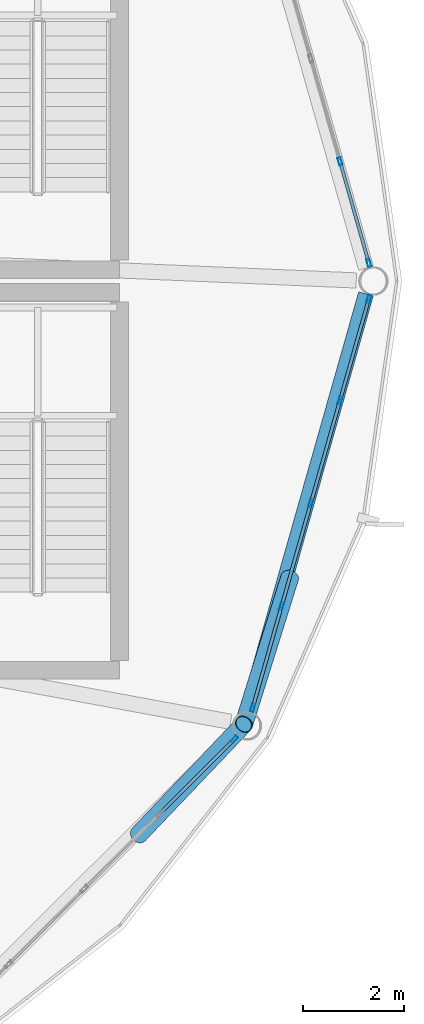
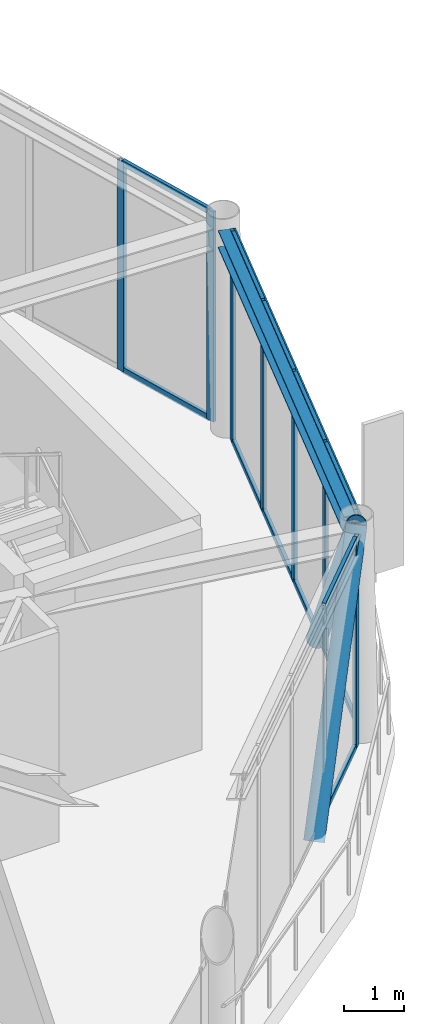
# One storey, part 15 of 26: 22 members, 1 beam, 3 elements without a shape of their own.
"""IFC4 building model written with IfcOpenShell, lengths in metres."""

from ifc_helpers import new_model, si_unit, direction, frame, origin, origin_2d, place, context, subcontext, project, spatial, hollow_rectangle, hollow_circle, i_section, extrude, material, layer, layer_set, material_profile, profile_set, type_object, element, aggregate, save


model = new_model("IFC4")

# Units and contexts
model_context = context("Model", 3, precision=1e-05, world=origin(), true_north=direction((0.0, 1.0)))
body_context = subcontext(model_context, "Body", "Model", "MODEL_VIEW")
ifc_project = project(units=[si_unit("LENGTHUNIT", "METRE"), si_unit("AREAUNIT", "SQUARE_METRE"), si_unit("VOLUMEUNIT", "CUBIC_METRE"), si_unit("PLANEANGLEUNIT", "RADIAN"), si_unit("MASSUNIT", "GRAM", prefix="KILO")], contexts=[model_context])

# Site, building, storey
site_placement = place(None, origin())
site = spatial("IfcSite", under=ifc_project, at=site_placement, CompositionType="ELEMENT")
building_placement = place(site_placement, origin())
building = spatial("IfcBuilding", under=site, at=building_placement, Name="Varnakorn Sky Granary", CompositionType="ELEMENT")
storey_placement = place(building_placement, frame((0.0, 0.0, 289.5)))
storey = spatial("IfcBuildingStorey", under=building, at=storey_placement, Name="L74", CompositionType="ELEMENT", Elevation=289.5)

# Beam
ifc_material_1 = material(Name="Steel S355JR", Category="steel")
ifc_material_profile_1 = material_profile(ifc_material_1, i_section(OverallWidth=0.300048828125, OverallDepth=0.360107421875, WebThickness=0.012451171875, FlangeThickness=0.0224609375, at=origin_2d()), Name="HE 360 B")
ifc_profile_set_1 = profile_set([ifc_material_profile_1], Name="Steel S355JR")
beam_type = type_object("IfcBeamType", Name="BM-SPD-Z5", PredefinedType="SPANDREL", material=ifc_profile_set_1)
beam_placement = place(storey_placement, frame((20.102783203125, -8.49267578125, 4.080078125), z_axis=(0.273135599576, 0.961975542436, 0.0), x_axis=(-0.961975542436, 0.273135599576, 0.0)))
element("IfcBeam", 1, at=beam_placement, inside=storey, type_object=beam_type, Name="Perimeter Spandrel Ring Beam RB12 L74", PredefinedType="SPANDREL", context=body_context, shape_type="SweptSolid", body=[
    extrude(i_section(OverallWidth=0.300048828125, OverallDepth=0.360107421875, WebThickness=0.012451171875, FlangeThickness=0.0224609375, at=origin_2d()), origin(), (0.0, 0.0, 1.0), 8.56396484375),
])

# Curtain wall, members
ifc_material_2 = material(Name="Anodised Bronze Aluminium Alloy 6063-T6", Category="aluminium")
ifc_layer = layer(ifc_material_2, 0.159912109375, Name="Anodised Bronze Aluminium Alloy 6063-T6")
ifc_layer_set = layer_set([ifc_layer], Name="Anodised Bronze Aluminium Alloy 6063-T6")
curtain_wall_type = type_object("IfcCurtainWallType", Name="CW-OFF-1", PredefinedType="USERDEFINED", material=ifc_layer_set)
curtain_wall_1_placement = place(storey_placement, origin())
curtain_wall_1 = element("IfcCurtainWall", 2, at=curtain_wall_1_placement, inside=storey, type_object=curtain_wall_type, Name="Unitised Curtain Wall CW6 CW-L74-B01", ObjectType="CURTAIN WALL", PredefinedType="USERDEFINED")
ifc_material_profile_2 = material_profile(ifc_material_2, hollow_rectangle(XDim=0.06494140625, YDim=0.159912109375, WallThickness=0.00341796875, at=origin_2d()), Name="ALU MULL 65x160")
ifc_profile_set_2 = profile_set([ifc_material_profile_2], Name="Anodised Bronze Aluminium Alloy 6063-T6")
member_type_1 = type_object("IfcMemberType", Name="CW-OFF-1-MULL", PredefinedType="MULLION", material=ifc_profile_set_2)
member_1_placement = place(storey_placement, frame((21.929931640625, 2.35888671875, 0.0), z_axis=(0.0, 0.0, 1.0), x_axis=(0.961937230884, 0.273270495734, 0.0)))
member_1 = element("IfcMember", 3, at=member_1_placement, type_object=member_type_1, Name="CW6 mullion 4", PredefinedType="MULLION", context=body_context, shape_type="SweptSolid", body=[
    extrude(hollow_rectangle(XDim=0.06494140625, YDim=0.159912109375, WallThickness=0.00341796875, at=origin_2d()), origin(), (0.0, 0.0, 1.0), 4.260009765625),
])
member_2_placement = place(storey_placement, frame((22.498291015625, 0.35791015625, 0.0), z_axis=(0.0, 0.0, 1.0), x_axis=(0.961937230884, 0.273270495734, 0.0)))
member_2 = element("IfcMember", 4, at=member_2_placement, type_object=member_type_1, Name="CW6 mullion 5", PredefinedType="MULLION", context=body_context, shape_type="SweptSolid", body=[
    extrude(hollow_rectangle(XDim=0.06494140625, YDim=0.159912109375, WallThickness=0.00341796875, at=origin_2d()), origin(), (0.0, 0.0, 1.0), 4.260009765625),
])

# Curtain wall, member
curtain_wall_2_placement = place(storey_placement, origin())
curtain_wall_2 = element("IfcCurtainWall", 5, at=curtain_wall_2_placement, inside=storey, type_object=curtain_wall_type, Name="Unitised Curtain Wall CW6 CW-L74-B11", ObjectType="CURTAIN WALL", PredefinedType="USERDEFINED")
member_3_placement = place(storey_placement, frame((19.841552734375, -9.045166015625, 0.0), z_axis=(0.0, 0.0, 1.0), x_axis=(0.706103251086, -0.708108889088, 0.0)))
member_3 = element("IfcMember", 6, at=member_3_placement, type_object=member_type_1, Name="CW6 mullion 1", PredefinedType="MULLION", context=body_context, shape_type="SweptSolid", body=[
    extrude(hollow_rectangle(XDim=0.06494140625, YDim=0.159912109375, WallThickness=0.00341796875, at=origin_2d()), origin(), (0.0, 0.0, 1.0), 4.260009765625),
])

# Curtain wall, members
curtain_wall_3_placement = place(storey_placement, origin())
curtain_wall_3 = element("IfcCurtainWall", 7, at=curtain_wall_3_placement, inside=storey, type_object=curtain_wall_type, Name="Unitised Curtain Wall CW6 CW-L74-B12", ObjectType="CURTAIN WALL", PredefinedType="USERDEFINED")
member_4_placement = place(storey_placement, frame((22.498291015625, -0.35791015625, 0.0), z_axis=(0.0, 0.0, 1.0), x_axis=(0.961937230884, -0.273270495734, 0.0)))
member_4 = element("IfcMember", 8, at=member_4_placement, type_object=member_type_1, Name="CW6 mullion 1", PredefinedType="MULLION", context=body_context, shape_type="SweptSolid", body=[
    extrude(hollow_rectangle(XDim=0.06494140625, YDim=0.159912109375, WallThickness=0.00341796875, at=origin_2d()), origin(), (0.0, 0.0, 1.0), 4.260009765625),
])
member_5_placement = place(storey_placement, frame((21.929931640625, -2.35888671875, 0.0), z_axis=(0.0, 0.0, 1.0), x_axis=(0.961937230884, -0.273270495734, 0.0)))
member_5 = element("IfcMember", 9, at=member_5_placement, type_object=member_type_1, Name="CW6 mullion 2", PredefinedType="MULLION", context=body_context, shape_type="SweptSolid", body=[
    extrude(hollow_rectangle(XDim=0.06494140625, YDim=0.159912109375, WallThickness=0.00341796875, at=origin_2d()), origin(), (0.0, 0.0, 1.0), 4.260009765625),
])
member_6_placement = place(storey_placement, frame((21.3525390625, -4.391357421875, 0.0), z_axis=(0.0, 0.0, 1.0), x_axis=(0.961937230884, -0.273270495734, 0.0)))
member_6 = element("IfcMember", 10, at=member_6_placement, type_object=member_type_1, Name="CW6 mullion 3", PredefinedType="MULLION", context=body_context, shape_type="SweptSolid", body=[
    extrude(hollow_rectangle(XDim=0.06494140625, YDim=0.159912109375, WallThickness=0.00341796875, at=origin_2d()), origin(), (0.0, 0.0, 1.0), 4.260009765625),
])
member_7_placement = place(storey_placement, frame((20.775146484375, -6.423583984375, 0.0), z_axis=(0.0, 0.0, 1.0), x_axis=(0.961937230884, -0.273270495734, 0.0)))
member_7 = element("IfcMember", 11, at=member_7_placement, type_object=member_type_1, Name="CW6 mullion 4", PredefinedType="MULLION", context=body_context, shape_type="SweptSolid", body=[
    extrude(hollow_rectangle(XDim=0.06494140625, YDim=0.159912109375, WallThickness=0.00341796875, at=origin_2d()), origin(), (0.0, 0.0, 1.0), 4.260009765625),
])
member_8_placement = place(storey_placement, frame((20.206787109375, -8.424560546875, 0.0), z_axis=(0.0, 0.0, 1.0), x_axis=(0.961937230884, -0.273270495734, 0.0)))
member_8 = element("IfcMember", 12, at=member_8_placement, type_object=member_type_1, Name="CW6 mullion 5", PredefinedType="MULLION", context=body_context, shape_type="SweptSolid", body=[
    extrude(hollow_rectangle(XDim=0.06494140625, YDim=0.159912109375, WallThickness=0.00341796875, at=origin_2d()), origin(), (0.0, 0.0, 1.0), 4.260009765625),
])

# Member
ifc_material_profile_3 = material_profile(ifc_material_2, hollow_rectangle(XDim=0.06494140625, YDim=0.1201171875, WallThickness=0.00341796875, at=origin_2d()), Name="ALU TRAN 65x120")
ifc_profile_set_3 = profile_set([ifc_material_profile_3], Name="Anodised Bronze Aluminium Alloy 6063-T6")
member_type_2 = type_object("IfcMemberType", Name="CW-OFF-1-TRAN", PredefinedType="USERDEFINED", material=ifc_profile_set_3)
member_9_placement = place(storey_placement, frame((21.938720703125, 2.32763671875, 0.032470703125), z_axis=(0.273312758761, -0.961925223652, 0.0), x_axis=(0.961925223652, 0.273312758761, 0.0)))
member_9 = element("IfcMember", 13, at=member_9_placement, type_object=member_type_2, Name="CW6 transom 4.1", ObjectType="TRANSOM", PredefinedType="USERDEFINED", context=body_context, shape_type="SweptSolid", body=[
    extrude(hollow_rectangle(XDim=0.06494140625, YDim=0.1201171875, WallThickness=0.00341796875, at=origin_2d()), origin(), (0.0, 0.0, 1.0), 2.01513671875),
])

member_10_placement = place(storey_placement, frame((21.938720703125, 2.32763671875, 4.2275390625), z_axis=(0.273312758761, -0.961925223652, 0.0), x_axis=(0.961925223652, 0.273312758761, 0.0)))
member_10 = element("IfcMember", 14, at=member_10_placement, type_object=member_type_2, Name="CW6 transom 4.2", ObjectType="TRANSOM", PredefinedType="USERDEFINED", context=body_context, shape_type="SweptSolid", body=[
    extrude(hollow_rectangle(XDim=0.06494140625, YDim=0.1201171875, WallThickness=0.00341796875, at=origin_2d()), origin(), (0.0, 0.0, 1.0), 2.01513671875),
])

aggregate(curtain_wall_1, [member_1, member_2, member_9, member_10])

member_11_placement = place(storey_placement, frame((19.818603515625, -9.068115234375, 0.032470703125), z_axis=(-0.708078247137, -0.70613397874, 0.0), x_axis=(0.70613397874, -0.708078247137, 0.0)))
member_11 = element("IfcMember", 15, at=member_11_placement, type_object=member_type_2, Name="CW6 transom 1.1", ObjectType="TRANSOM", PredefinedType="USERDEFINED", context=body_context, shape_type="SweptSolid", body=[
    extrude(hollow_rectangle(XDim=0.06494140625, YDim=0.1201171875, WallThickness=0.00341796875, at=origin_2d()), origin(), (0.0, 0.0, 1.0), 2.009033203125),
])

member_12_placement = place(storey_placement, frame((19.818603515625, -9.068115234375, 4.2275390625), z_axis=(-0.708078247137, -0.70613397874, 0.0), x_axis=(0.70613397874, -0.708078247137, 0.0)))
member_12 = element("IfcMember", 16, at=member_12_placement, type_object=member_type_2, Name="CW6 transom 1.2", ObjectType="TRANSOM", PredefinedType="USERDEFINED", context=body_context, shape_type="SweptSolid", body=[
    extrude(hollow_rectangle(XDim=0.06494140625, YDim=0.1201171875, WallThickness=0.00341796875, at=origin_2d()), origin(), (0.0, 0.0, 1.0), 2.009033203125),
])

aggregate(curtain_wall_2, [member_3, member_11, member_12])

member_13_placement = place(storey_placement, frame((22.489501953125, -0.38916015625, 0.032470703125), z_axis=(-0.273312758761, -0.961925223652, 0.0), x_axis=(0.961925223652, -0.273312758761, 0.0)))
member_13 = element("IfcMember", 17, at=member_13_placement, type_object=member_type_2, Name="CW6 transom 1.1", ObjectType="TRANSOM", PredefinedType="USERDEFINED", context=body_context, shape_type="SweptSolid", body=[
    extrude(hollow_rectangle(XDim=0.06494140625, YDim=0.1201171875, WallThickness=0.00341796875, at=origin_2d()), origin(), (0.0, 0.0, 1.0), 2.01513671875),
])

member_14_placement = place(storey_placement, frame((22.489501953125, -0.38916015625, 4.2275390625), z_axis=(-0.273312758761, -0.961925223652, 0.0), x_axis=(0.961925223652, -0.273312758761, 0.0)))
member_14 = element("IfcMember", 18, at=member_14_placement, type_object=member_type_2, Name="CW6 transom 1.2", ObjectType="TRANSOM", PredefinedType="USERDEFINED", context=body_context, shape_type="SweptSolid", body=[
    extrude(hollow_rectangle(XDim=0.06494140625, YDim=0.1201171875, WallThickness=0.00341796875, at=origin_2d()), origin(), (0.0, 0.0, 1.0), 2.01513671875),
])

member_15_placement = place(storey_placement, frame((21.9208984375, -2.39013671875, 0.032470703125), z_axis=(-0.273240737193, -0.961945684297, 0.0), x_axis=(0.961945684297, -0.273240737193, 0.0)))
member_15 = element("IfcMember", 19, at=member_15_placement, type_object=member_type_2, Name="CW6 transom 2.1", ObjectType="TRANSOM", PredefinedType="USERDEFINED", context=body_context, shape_type="SweptSolid", body=[
    extrude(hollow_rectangle(XDim=0.06494140625, YDim=0.1201171875, WallThickness=0.00341796875, at=origin_2d()), origin(), (0.0, 0.0, 1.0), 2.0478515625),
])

member_16_placement = place(storey_placement, frame((21.9208984375, -2.39013671875, 4.2275390625), z_axis=(-0.273240737193, -0.961945684297, 0.0), x_axis=(0.961945684297, -0.273240737193, 0.0)))
member_16 = element("IfcMember", 20, at=member_16_placement, type_object=member_type_2, Name="CW6 transom 2.2", ObjectType="TRANSOM", PredefinedType="USERDEFINED", context=body_context, shape_type="SweptSolid", body=[
    extrude(hollow_rectangle(XDim=0.06494140625, YDim=0.1201171875, WallThickness=0.00341796875, at=origin_2d()), origin(), (0.0, 0.0, 1.0), 2.0478515625),
])

member_17_placement = place(storey_placement, frame((21.343505859375, -4.422607421875, 0.032470703125), z_axis=(-0.273272075435, -0.961936782116, 0.0), x_axis=(0.961936782116, -0.273272075435, 0.0)))
member_17 = element("IfcMember", 21, at=member_17_placement, type_object=member_type_2, Name="CW6 transom 3.1", ObjectType="TRANSOM", PredefinedType="USERDEFINED", context=body_context, shape_type="SweptSolid", body=[
    extrude(hollow_rectangle(XDim=0.06494140625, YDim=0.1201171875, WallThickness=0.00341796875, at=origin_2d()), origin(), (0.0, 0.0, 1.0), 2.047607421875),
])

member_18_placement = place(storey_placement, frame((21.343505859375, -4.422607421875, 4.2275390625), z_axis=(-0.273272075435, -0.961936782116, 0.0), x_axis=(0.961936782116, -0.273272075435, 0.0)))
member_18 = element("IfcMember", 22, at=member_18_placement, type_object=member_type_2, Name="CW6 transom 3.2", ObjectType="TRANSOM", PredefinedType="USERDEFINED", context=body_context, shape_type="SweptSolid", body=[
    extrude(hollow_rectangle(XDim=0.06494140625, YDim=0.1201171875, WallThickness=0.00341796875, at=origin_2d()), origin(), (0.0, 0.0, 1.0), 2.047607421875),
])

member_19_placement = place(storey_placement, frame((20.766357421875, -6.454833984375, 0.032470703125), z_axis=(-0.273312758761, -0.961925223652, 0.0), x_axis=(0.961925223652, -0.273312758761, 0.0)))
member_19 = element("IfcMember", 23, at=member_19_placement, type_object=member_type_2, Name="CW6 transom 4.1", ObjectType="TRANSOM", PredefinedType="USERDEFINED", context=body_context, shape_type="SweptSolid", body=[
    extrude(hollow_rectangle(XDim=0.06494140625, YDim=0.1201171875, WallThickness=0.00341796875, at=origin_2d()), origin(), (0.0, 0.0, 1.0), 2.01513671875),
])

member_20_placement = place(storey_placement, frame((20.766357421875, -6.454833984375, 4.2275390625), z_axis=(-0.273312758761, -0.961925223652, 0.0), x_axis=(0.961925223652, -0.273312758761, 0.0)))
member_20 = element("IfcMember", 24, at=member_20_placement, type_object=member_type_2, Name="CW6 transom 4.2", ObjectType="TRANSOM", PredefinedType="USERDEFINED", context=body_context, shape_type="SweptSolid", body=[
    extrude(hollow_rectangle(XDim=0.06494140625, YDim=0.1201171875, WallThickness=0.00341796875, at=origin_2d()), origin(), (0.0, 0.0, 1.0), 2.01513671875),
])

aggregate(curtain_wall_3, [member_4, member_5, member_6, member_7, member_8, member_13, member_14, member_15, member_16, member_17, member_18, member_19, member_20])

# Members
ifc_material_3 = material(Name="Steel S460M", Category="steel")
ifc_material_profile_4 = material_profile(ifc_material_3, hollow_circle(Radius=0.177734375, WallThickness=0.01416015625, at=origin_2d()), Name="CHS 355.6x14")
ifc_profile_set_4 = profile_set([ifc_material_profile_4], Name="Steel S460M")
member_type_3 = type_object("IfcMemberType", Name="MB-DIAG-T5", PredefinedType="BRACE", material=ifc_profile_set_4)
member_21_placement = place(storey_placement, frame((17.955810546875, -10.925537109375, -0.1298828125), z_axis=(0.389852489248, 0.409349701289, 0.824892634639), x_axis=(-0.724141790929, 0.689651119502, 0.0)))
element("IfcMember", 25, at=member_21_placement, inside=storey, type_object=member_type_3, Name="Perimeter CHS Diagrid Brace DG11 L74", PredefinedType="BRACE", context=body_context, shape_type="SweptSolid", body=[
    extrude(hollow_circle(Radius=0.177734375, WallThickness=0.01416015625, at=origin_2d()), origin(), (0.0, 0.0, 1.0), 5.32177734375),
])
member_22_placement = place(storey_placement, frame((20.936767578125, -5.85498046875, -0.1298828125), z_axis=(-0.169885490828, -0.54215073393, 0.822928612764), x_axis=(0.954247485718, -0.299017952641, 0.0)))
element("IfcMember", 26, at=member_22_placement, inside=storey, type_object=member_type_3, Name="Perimeter CHS Diagrid Brace DG12 L74", PredefinedType="BRACE", context=body_context, shape_type="SweptSolid", body=[
    extrude(hollow_circle(Radius=0.177734375, WallThickness=0.01416015625, at=origin_2d()), origin(), (0.0, 0.0, 1.0), 5.33447265625),
])

save(model, "model.ifc")
